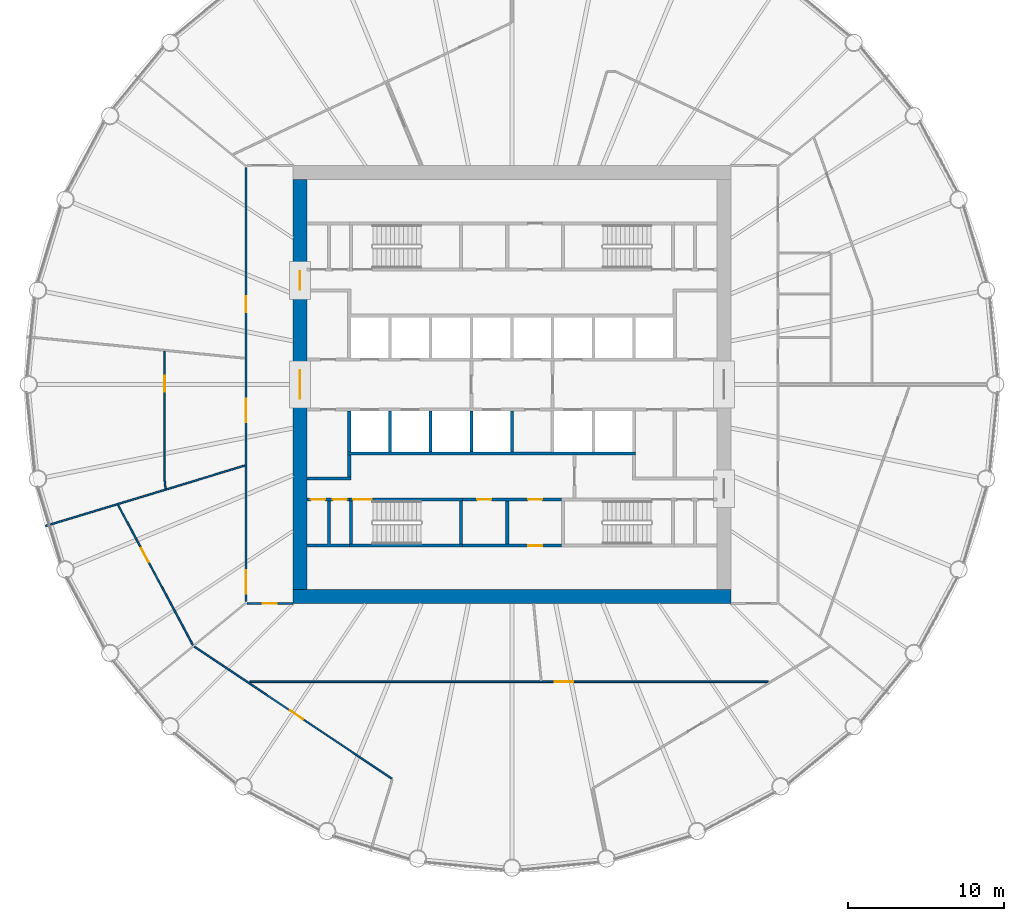
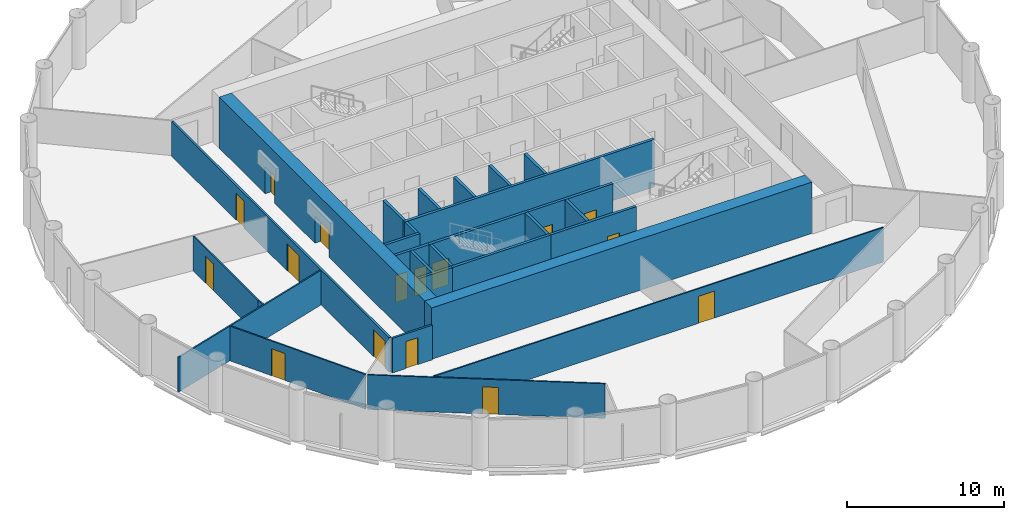
# One storey, part 4 of 8: 27 walls, 16 doors, 16 openings.
"""IFC4 building model written with IfcOpenShell, lengths in metres."""

from ifc_helpers import new_model, si_unit, direction, frame, frame_2d, origin, place, context, subcontext, project, spatial, polyline, rectangle, outline, extrude, material, layer, layer_set, type_object, element, fill, save


model = new_model("IFC4")

# Units and contexts
model_context = context("Model", 3, precision=1e-05, world=origin(), true_north=direction((0.0, 1.0)))
body_context = subcontext(model_context, "Body", "Model", "MODEL_VIEW")
ifc_project = project(units=[si_unit("LENGTHUNIT", "METRE"), si_unit("AREAUNIT", "SQUARE_METRE"), si_unit("VOLUMEUNIT", "CUBIC_METRE"), si_unit("PLANEANGLEUNIT", "RADIAN"), si_unit("MASSUNIT", "GRAM", prefix="KILO")], contexts=[model_context])

# Site, building, storey
site_placement = place(None, origin())
site = spatial("IfcSite", under=ifc_project, at=site_placement, CompositionType="ELEMENT")
building_placement = place(site_placement, origin())
building = spatial("IfcBuilding", under=site, at=building_placement, Name="Corvane Civic Tower", CompositionType="ELEMENT")
storey_placement = place(building_placement, frame((0.0, 0.0, 152.0)))
storey = spatial("IfcBuildingStorey", under=building, at=storey_placement, Name="L35", CompositionType="ELEMENT", Elevation=152.0)

# Wall
ifc_material_1 = material(Name="Concrete C60/75", Category="concrete")
ifc_layer_1 = layer(ifc_material_1, 0.89990234375)
ifc_layer_set_1 = layer_set([ifc_layer_1], Name="Concrete C60/75")
wall_type_1 = type_object("IfcWallType", Name="CORE WALL 900 C60/75", PredefinedType="SHEAR", material=ifc_layer_set_1)
wall_1_placement = place(storey_placement, frame((-14.0, -13.550048828125, 0.0), z_axis=(0.0, 0.0, 1.0), x_axis=(1.0, 0.0, 0.0)))
element("IfcWall", 1, at=wall_1_placement, inside=storey, type_object=wall_type_1, Name="W-L35-core-S", PredefinedType="SHEAR", context=body_context, shape_type="SweptSolid", body=[
    extrude(rectangle(XDim=28.0, YDim=0.89990234375, at=frame_2d((14.0, 0.0))), origin(), (0.0, 0.0, 1.0), 4.0),
])

# Wall, openings, doors
wall_2_placement = place(storey_placement, frame((-13.550048828125, -13.10009765625, 0.0), z_axis=(0.0, 0.0, 1.0), x_axis=(0.0, 1.0, 0.0)))
wall_2 = element("IfcWall", 2, at=wall_2_placement, inside=storey, type_object=wall_type_1, Name="W-L35-core-W", PredefinedType="SHEAR", context=body_context, shape_type="SweptSolid", body=[
    extrude(rectangle(XDim=26.2001953125, YDim=0.89990234375, at=frame_2d((13.10009765625, 0.0))), origin(), (0.0, 0.0, 1.0), 4.0),
])
opening_1_placement = place(wall_2_placement, frame((12.199951171875, 0.0, 0.0)))
opening_1 = element("IfcOpeningElement", 3, at=opening_1_placement, cuts=wall_2, Name="Opening L35.C28", PredefinedType="OPENING", context=body_context, shape_type="SweptSolid", body=[
    extrude(rectangle(XDim=1.800048828125, YDim=2.10009765625, at=frame_2d((0.89990234375, 1.050048828125))), frame((0.0, 0.4599609375, 0.0), z_axis=(0.0, -1.0, 0.0), x_axis=(1.0, 0.0, 0.0)), (0.0, 0.0, 1.0), 0.919921875),
])
opening_2_placement = place(wall_2_placement, frame((19.14990234375, 0.0, 0.0)))
opening_2 = element("IfcOpeningElement", 4, at=opening_2_placement, cuts=wall_2, Name="Opening L35.C30", PredefinedType="OPENING", context=body_context, shape_type="SweptSolid", body=[
    extrude(rectangle(XDim=1.199951171875, YDim=2.10009765625, at=frame_2d((0.60009765625, 1.050048828125))), frame((0.0, 0.4599609375, 0.0), z_axis=(0.0, -1.0, 0.0), x_axis=(1.0, 0.0, 0.0)), (0.0, 0.0, 1.0), 0.919921875),
])
ifc_material_2 = material(Name="Steel fire door leaf", Category="steel")
door_type_1 = type_object("IfcDoorType", Name="CR-DOOR-CORE-1800", OperationType="DOUBLE_DOOR_SINGLE_SWING", PredefinedType="DOOR", material=ifc_material_2)
door_1_placement = place(opening_1_placement, origin())
door_1 = element("IfcDoor", 5, at=door_1_placement, inside=storey, type_object=door_type_1, Name="L35 door", OperationType="DOUBLE_DOOR_SINGLE_SWING", OverallHeight=2.10009765625, OverallWidth=1.800048828125, PredefinedType="DOOR", context=body_context, shape_type="SweptSolid", body=[
    extrude(rectangle(XDim=1.800048828125, YDim=2.10009765625, at=frame_2d((0.89990234375, 1.050048828125))), frame((0.0, 0.02490234375, 0.0), z_axis=(0.0, -1.0, 0.0), x_axis=(1.0, 0.0, 0.0)), (0.0, 0.0, 1.0), 0.050048828125),
])
fill(opening_1, door_1)
door_2_placement = place(opening_2_placement, origin())
door_2 = element("IfcDoor", 6, at=door_2_placement, inside=storey, type_object=door_type_1, Name="L35 door", OperationType="DOUBLE_DOOR_SINGLE_SWING", OverallHeight=2.10009765625, OverallWidth=1.199951171875, PredefinedType="DOOR", context=body_context, shape_type="SweptSolid", body=[
    extrude(rectangle(XDim=1.199951171875, YDim=2.10009765625, at=frame_2d((0.60009765625, 1.050048828125))), frame((0.0, 0.02490234375, 0.0), z_axis=(0.0, -1.0, 0.0), x_axis=(1.0, 0.0, 0.0)), (0.0, 0.0, 1.0), 0.050048828125),
])
fill(opening_2, door_2)

# Wall, opening, door
ifc_material_3 = material(Name="Concrete C30/37", Category="concrete")
ifc_layer_2 = layer(ifc_material_3, 0.199951171875)
ifc_layer_set_2 = layer_set([ifc_layer_2], Name="Concrete C30/37")
wall_type_2 = type_object("IfcWallType", Name="CR-WALL-200", PredefinedType="PARTITIONING", material=ifc_layer_set_2)
wall_3_placement = place(storey_placement, frame((-3.14990234375, -10.300048828125, 0.0), z_axis=(0.0, 0.0, 1.0), x_axis=(1.0, 0.0, 0.0)))
wall_3 = element("IfcWall", 7, at=wall_3_placement, inside=storey, type_object=wall_type_2, Name="L35 partition wall", PredefinedType="PARTITIONING", context=body_context, shape_type="SweptSolid", body=[
    extrude(rectangle(XDim=6.2998046875, YDim=0.199951171875, at=frame_2d((3.14990234375, 0.0))), origin(), (0.0, 0.0, 1.0), 3.699951171875),
])
opening_3_placement = place(wall_3_placement, frame((4.175048828125, 0.0, 0.0)))
opening_3 = element("IfcOpeningElement", 8, at=opening_3_placement, cuts=wall_3, Name="Opening L35.C12", PredefinedType="OPENING", context=body_context, shape_type="SweptSolid", body=[
    extrude(rectangle(XDim=0.89990234375, YDim=2.10009765625, at=frame_2d((0.449951171875, 1.050048828125))), frame((0.0, 0.10986328125, 0.0), z_axis=(0.0, -1.0, 0.0), x_axis=(1.0, 0.0, 0.0)), (0.0, 0.0, 1.0), 0.219970703125),
])
ifc_material_4 = material(Name="Steel fire door leaf", Category="steel")
door_type_2 = type_object("IfcDoorType", Name="CR-DOOR-900", OperationType="SINGLE_SWING_LEFT", PredefinedType="DOOR", material=ifc_material_4)
door_3_placement = place(opening_3_placement, origin())
door_3 = element("IfcDoor", 9, at=door_3_placement, inside=storey, type_object=door_type_2, Name="L35 door", OperationType="SINGLE_SWING_LEFT", OverallHeight=2.10009765625, OverallWidth=0.89990234375, PredefinedType="DOOR", context=body_context, shape_type="SweptSolid", body=[
    extrude(rectangle(XDim=0.89990234375, YDim=2.10009765625, at=frame_2d((0.449951171875, 1.050048828125))), frame((0.0, 0.02490234375, 0.0), z_axis=(0.0, -1.0, 0.0), x_axis=(1.0, 0.0, 0.0)), (0.0, 0.0, 1.0), 0.050048828125),
])
fill(opening_3, door_3)

# Wall, openings, doors
wall_4_placement = place(storey_placement, frame((-13.10009765625, -7.35009765625, 0.0), z_axis=(0.0, 0.0, 1.0), x_axis=(1.0, 0.0, 0.0)))
wall_4 = element("IfcWall", 10, at=wall_4_placement, inside=storey, type_object=wall_type_2, Name="L35 core partition wall", PredefinedType="PARTITIONING", context=body_context, shape_type="SweptSolid", body=[
    extrude(rectangle(XDim=2.7001953125, YDim=0.199951171875, at=frame_2d((1.35009765625, 0.0))), origin(), (0.0, 0.0, 1.0), 3.699951171875),
])
opening_4_placement = place(wall_4_placement, frame((0.25, 0.0, 0.0)))
opening_4 = element("IfcOpeningElement", 11, at=opening_4_placement, cuts=wall_4, Name="Opening L35.C15", PredefinedType="OPENING", context=body_context, shape_type="SweptSolid", body=[
    extrude(rectangle(XDim=0.89990234375, YDim=2.10009765625, at=frame_2d((0.449951171875, 1.050048828125))), frame((0.0, 0.10986328125, 0.0), z_axis=(0.0, -1.0, 0.0), x_axis=(1.0, 0.0, 0.0)), (0.0, 0.0, 1.0), 0.219970703125),
])
opening_5_placement = place(wall_4_placement, frame((1.64990234375, 0.0, 0.0)))
opening_5 = element("IfcOpeningElement", 12, at=opening_5_placement, cuts=wall_4, Name="Opening L35.C16", PredefinedType="OPENING", context=body_context, shape_type="SweptSolid", body=[
    extrude(rectangle(XDim=0.89990234375, YDim=2.10009765625, at=frame_2d((0.449951171875, 1.050048828125))), frame((0.0, 0.10986328125, 0.0), z_axis=(0.0, -1.0, 0.0), x_axis=(1.0, 0.0, 0.0)), (0.0, 0.0, 1.0), 0.219970703125),
])
door_4_placement = place(opening_4_placement, origin())
door_4 = element("IfcDoor", 13, at=door_4_placement, inside=storey, type_object=door_type_2, Name="L35 door", OperationType="SINGLE_SWING_LEFT", OverallHeight=2.10009765625, OverallWidth=0.89990234375, PredefinedType="DOOR", context=body_context, shape_type="SweptSolid", body=[
    extrude(rectangle(XDim=0.89990234375, YDim=2.10009765625, at=frame_2d((0.449951171875, 1.050048828125))), frame((0.0, 0.02490234375, 0.0), z_axis=(0.0, -1.0, 0.0), x_axis=(1.0, 0.0, 0.0)), (0.0, 0.0, 1.0), 0.050048828125),
])
fill(opening_4, door_4)
door_5_placement = place(opening_5_placement, origin())
door_5 = element("IfcDoor", 14, at=door_5_placement, inside=storey, type_object=door_type_2, Name="L35 door", OperationType="SINGLE_SWING_LEFT", OverallHeight=2.10009765625, OverallWidth=0.89990234375, PredefinedType="DOOR", context=body_context, shape_type="SweptSolid", body=[
    extrude(rectangle(XDim=0.89990234375, YDim=2.10009765625, at=frame_2d((0.449951171875, 1.050048828125))), frame((0.0, 0.02490234375, 0.0), z_axis=(0.0, -1.0, 0.0), x_axis=(1.0, 0.0, 0.0)), (0.0, 0.0, 1.0), 0.050048828125),
])
fill(opening_5, door_5)

wall_5_placement = place(storey_placement, frame((-3.14990234375, -7.35009765625, 0.0), z_axis=(0.0, 0.0, 1.0), x_axis=(1.0, 0.0, 0.0)))
wall_5 = element("IfcWall", 15, at=wall_5_placement, inside=storey, type_object=wall_type_2, Name="L35 core partition wall", PredefinedType="PARTITIONING", context=body_context, shape_type="SweptSolid", body=[
    extrude(rectangle(XDim=6.2998046875, YDim=0.199951171875, at=frame_2d((3.14990234375, 0.0))), origin(), (0.0, 0.0, 1.0), 3.699951171875),
])
opening_6_placement = place(wall_5_placement, frame((0.925048828125, 0.0, 0.0)))
opening_6 = element("IfcOpeningElement", 16, at=opening_6_placement, cuts=wall_5, Name="Opening L35.C09", PredefinedType="OPENING", context=body_context, shape_type="SweptSolid", body=[
    extrude(rectangle(XDim=0.89990234375, YDim=2.10009765625, at=frame_2d((0.449951171875, 1.050048828125))), frame((0.0, 0.10986328125, 0.0), z_axis=(0.0, -1.0, 0.0), x_axis=(1.0, 0.0, 0.0)), (0.0, 0.0, 1.0), 0.219970703125),
])
opening_7_placement = place(wall_5_placement, frame((4.175048828125, 0.0, 0.0)))
opening_7 = element("IfcOpeningElement", 17, at=opening_7_placement, cuts=wall_5, Name="Opening L35.C10", PredefinedType="OPENING", context=body_context, shape_type="SweptSolid", body=[
    extrude(rectangle(XDim=0.89990234375, YDim=2.10009765625, at=frame_2d((0.449951171875, 1.050048828125))), frame((0.0, 0.10986328125, 0.0), z_axis=(0.0, -1.0, 0.0), x_axis=(1.0, 0.0, 0.0)), (0.0, 0.0, 1.0), 0.219970703125),
])
door_6_placement = place(opening_6_placement, origin())
door_6 = element("IfcDoor", 18, at=door_6_placement, inside=storey, type_object=door_type_2, Name="L35 door", OperationType="SINGLE_SWING_LEFT", OverallHeight=2.10009765625, OverallWidth=0.89990234375, PredefinedType="DOOR", context=body_context, shape_type="SweptSolid", body=[
    extrude(rectangle(XDim=0.89990234375, YDim=2.10009765625, at=frame_2d((0.449951171875, 1.050048828125))), frame((0.0, 0.02490234375, 0.0), z_axis=(0.0, -1.0, 0.0), x_axis=(1.0, 0.0, 0.0)), (0.0, 0.0, 1.0), 0.050048828125),
])
fill(opening_6, door_6)
door_7_placement = place(opening_7_placement, origin())
door_7 = element("IfcDoor", 19, at=door_7_placement, inside=storey, type_object=door_type_2, Name="L35 door", OperationType="SINGLE_SWING_LEFT", OverallHeight=2.10009765625, OverallWidth=0.89990234375, PredefinedType="DOOR", context=body_context, shape_type="SweptSolid", body=[
    extrude(rectangle(XDim=0.89990234375, YDim=2.10009765625, at=frame_2d((0.449951171875, 1.050048828125))), frame((0.0, 0.02490234375, 0.0), z_axis=(0.0, -1.0, 0.0), x_axis=(1.0, 0.0, 0.0)), (0.0, 0.0, 1.0), 0.050048828125),
])
fill(opening_7, door_7)

# Walls
wall_6_placement = place(storey_placement, origin())
element("IfcWall", 20, at=wall_6_placement, inside=storey, type_object=wall_type_2, Name="L35 core partition wall", PredefinedType="PARTITIONING", context=body_context, shape_type="SweptSolid", body=[
    extrude(outline(polyline([(7.89990234375, -4.300048828125), (7.89990234375, -4.5), (-10.5, -4.5), (-10.5, -4.300048828125), (7.89990234375, -4.300048828125)])), origin(), (0.0, 0.0, 1.0), 3.699951171875),
])
wall_7_placement = place(storey_placement, origin())
element("IfcWall", 21, at=wall_7_placement, inside=storey, type_object=wall_type_2, Name="L35 core partition wall", PredefinedType="PARTITIONING", context=body_context, shape_type="SweptSolid", body=[
    extrude(outline(polyline([(-10.300048828125, -6.10009765625), (-13.10009765625, -6.10009765625), (-13.10009765625, -5.89990234375), (-10.300048828125, -5.89990234375), (-10.300048828125, -6.10009765625)])), origin(), (0.0, 0.0, 1.0), 3.699951171875),
])
wall_8_placement = place(storey_placement, origin())
element("IfcWall", 22, at=wall_8_placement, inside=storey, type_object=wall_type_2, Name="L35 core partition wall", PredefinedType="PARTITIONING", context=body_context, shape_type="SweptSolid", body=[
    extrude(outline(polyline([(-2.5, -1.699951171875), (-2.5, -4.2998046875), (-2.699951171875, -4.2998046875), (-2.699951171875, -1.699951171875), (-2.5, -1.699951171875)])), origin(), (0.0, 0.0, 1.0), 3.699951171875),
])
wall_9_placement = place(storey_placement, origin())
element("IfcWall", 23, at=wall_9_placement, inside=storey, type_object=wall_type_2, Name="L35 core partition wall", PredefinedType="PARTITIONING", context=body_context, shape_type="SweptSolid", body=[
    extrude(outline(polyline([(0.10009765625, -1.699951171875), (0.10009765625, -4.2998046875), (-0.10009765625, -4.2998046875), (-0.10009765625, -1.699951171875), (0.10009765625, -1.699951171875)])), origin(), (0.0, 0.0, 1.0), 3.699951171875),
])
wall_10_placement = place(storey_placement, origin())
element("IfcWall", 24, at=wall_10_placement, inside=storey, type_object=wall_type_2, Name="L35 core partition wall", PredefinedType="PARTITIONING", context=body_context, shape_type="SweptSolid", body=[
    extrude(outline(polyline([(-10.300048828125, -1.699951171875), (-10.300048828125, -4.2998046875), (-10.5, -4.2998046875), (-10.5, -1.699951171875), (-10.300048828125, -1.699951171875)])), origin(), (0.0, 0.0, 1.0), 3.699951171875),
])
wall_11_placement = place(storey_placement, origin())
element("IfcWall", 25, at=wall_11_placement, inside=storey, type_object=wall_type_2, Name="L35 core partition wall", PredefinedType="PARTITIONING", context=body_context, shape_type="SweptSolid", body=[
    extrude(outline(polyline([(-7.699951171875, -1.699951171875), (-7.699951171875, -4.2998046875), (-7.89990234375, -4.2998046875), (-7.89990234375, -1.699951171875), (-7.699951171875, -1.699951171875)])), origin(), (0.0, 0.0, 1.0), 3.699951171875),
])
wall_12_placement = place(storey_placement, origin())
element("IfcWall", 26, at=wall_12_placement, inside=storey, type_object=wall_type_2, Name="L35 core partition wall", PredefinedType="PARTITIONING", context=body_context, shape_type="SweptSolid", body=[
    extrude(outline(polyline([(-5.10009765625, -1.699951171875), (-5.10009765625, -4.2998046875), (-5.300048828125, -4.2998046875), (-5.300048828125, -1.699951171875), (-5.10009765625, -1.699951171875)])), origin(), (0.0, 0.0, 1.0), 3.699951171875),
])
wall_13_placement = place(storey_placement, origin())
element("IfcWall", 27, at=wall_13_placement, inside=storey, type_object=wall_type_2, Name="L35 core partition wall", PredefinedType="PARTITIONING", context=body_context, shape_type="SweptSolid", body=[
    extrude(outline(polyline([(-10.300048828125, -5.89990234375), (-10.5, -5.89990234375), (-10.5, -4.5), (-10.300048828125, -4.5), (-10.300048828125, -5.89990234375)])), origin(), (0.0, 0.0, 1.0), 3.699951171875),
])
wall_14_placement = place(storey_placement, origin())
element("IfcWall", 28, at=wall_14_placement, inside=storey, type_object=wall_type_2, Name="L35 core partition wall", PredefinedType="PARTITIONING", context=body_context, shape_type="SweptSolid", body=[
    extrude(outline(polyline([(-11.800048828125, -7.449951171875), (-11.60009765625, -7.449951171875), (-11.60009765625, -10.199951171875), (-10.39990234375, -10.199951171875), (-10.39990234375, -10.39990234375), (-13.10009765625, -10.39990234375), (-13.10009765625, -10.199951171875), (-11.800048828125, -10.199951171875), (-11.800048828125, -7.449951171875)])), origin(), (0.0, 0.0, 1.0), 3.699951171875),
])
wall_15_placement = place(storey_placement, origin())
element("IfcWall", 29, at=wall_15_placement, inside=storey, type_object=wall_type_2, Name="L35 core partition wall", PredefinedType="PARTITIONING", context=body_context, shape_type="SweptSolid", body=[
    extrude(outline(polyline([(-0.199951171875, -10.199951171875), (-0.39990234375, -10.199951171875), (-0.39990234375, -7.449951171875), (-0.199951171875, -7.449951171875), (-0.199951171875, -10.199951171875)])), origin(), (0.0, 0.0, 1.0), 3.699951171875),
])

# Wall, opening, door
ifc_material_5 = material(Name="Plasterboard")
ifc_layer_3 = layer(ifc_material_5, 0.10009765625)
ifc_layer_set_3 = layer_set([ifc_layer_3], Name="Plasterboard")
wall_type_3 = type_object("IfcWallType", Name="Partition 100 plasterboard on studs", PredefinedType="PARTITIONING", material=ifc_layer_set_3)
wall_16_placement = place(storey_placement, frame((-20.308349609375, -16.750244140625, 0.0), z_axis=(0.0, 0.0, 1.0), x_axis=(0.831468762021, -0.555571505553, 0.0)))
wall_16 = element("IfcWall", 30, at=wall_16_placement, inside=storey, type_object=wall_type_3, Name="Partition L35.004", PredefinedType="PARTITIONING", context=body_context, shape_type="SweptSolid", body=[
    extrude(rectangle(XDim=15.190185546875, YDim=0.10009765625, at=frame_2d((7.59521484375, 0.0))), origin(), (0.0, 0.0, 1.0), 2.699951171875),
])
opening_8_placement = place(wall_16_placement, frame((7.35693359375, 0.0, 0.0)))
opening_8 = element("IfcOpeningElement", 31, at=opening_8_placement, cuts=wall_16, Name="Opening L35.006", PredefinedType="OPENING", context=body_context, shape_type="SweptSolid", body=[
    extrude(rectangle(XDim=1.0, YDim=2.10009765625, at=frame_2d((0.5, 1.050048828125))), frame((0.0, 0.06005859375, 0.0), z_axis=(0.0, -1.0, 0.0), x_axis=(1.0, 0.0, 0.0)), (0.0, 0.0, 1.0), 0.1201171875),
])
ifc_material_6 = material(Name="Timber", Category="wood")
door_type_3 = type_object("IfcDoorType", Name="Single door 1000", OperationType="NOTDEFINED", PredefinedType="DOOR", material=ifc_material_6)
door_8_placement = place(opening_8_placement, frame((1.0, 0.0, 0.0), z_axis=(0.0, 0.0, 1.0), x_axis=(-1.0, 0.0, 0.0)))
door_8 = element("IfcDoor", 32, at=door_8_placement, inside=storey, type_object=door_type_3, Name="Door L35.006", OperationType="SINGLE_SWING_LEFT", OverallHeight=2.10009765625, OverallWidth=1.0, PredefinedType="DOOR", context=body_context, shape_type="SweptSolid", body=[
    extrude(rectangle(XDim=1.0, YDim=2.10009765625, at=frame_2d((0.5, 1.050048828125))), frame((0.0, 0.02490234375, 0.0), z_axis=(0.0, -1.0, 0.0), x_axis=(1.0, 0.0, 0.0)), (0.0, 0.0, 1.0), 0.050048828125),
])
fill(opening_8, door_8)

wall_17_placement = place(storey_placement, frame((-16.776611328125, -19.0, 0.0), z_axis=(0.0, 0.0, 1.0), x_axis=(1.0, 0.0, 0.0)))
wall_17 = element("IfcWall", 33, at=wall_17_placement, inside=storey, type_object=wall_type_3, Name="Partition L35.007", PredefinedType="PARTITIONING", context=body_context, shape_type="SweptSolid", body=[
    extrude(rectangle(XDim=33.144287109375, YDim=0.10009765625, at=frame_2d((16.572265625, 0.0))), origin(), (0.0, 0.0, 1.0), 2.699951171875),
])
opening_9_placement = place(wall_17_placement, frame((19.50146484375, 0.0, 0.0)))
opening_9 = element("IfcOpeningElement", 34, at=opening_9_placement, cuts=wall_17, Name="Opening L35.007", PredefinedType="OPENING", context=body_context, shape_type="SweptSolid", body=[
    extrude(rectangle(XDim=1.199951171875, YDim=2.10009765625, at=frame_2d((0.60009765625, 1.050048828125))), frame((0.0, 0.06005859375, 0.0), z_axis=(0.0, -1.0, 0.0), x_axis=(1.0, 0.0, 0.0)), (0.0, 0.0, 1.0), 0.1201171875),
])
ifc_material_7 = material(Name="Timber", Category="wood")
door_type_4 = type_object("IfcDoorType", Name="Double door 1200", OperationType="NOTDEFINED", PredefinedType="DOOR", material=ifc_material_7)
door_9_placement = place(opening_9_placement, frame((1.199951171875, 0.0, 0.0), z_axis=(0.0, 0.0, 1.0), x_axis=(-1.0, 0.0, 0.0)))
door_9 = element("IfcDoor", 35, at=door_9_placement, inside=storey, type_object=door_type_4, Name="Door L35.007", OperationType="DOUBLE_DOOR_SINGLE_SWING", OverallHeight=2.10009765625, OverallWidth=1.199951171875, PredefinedType="DOOR", context=body_context, shape_type="SweptSolid", body=[
    extrude(rectangle(XDim=1.199951171875, YDim=2.10009765625, at=frame_2d((0.60009765625, 1.050048828125))), frame((0.0, 0.02490234375, 0.0), z_axis=(0.0, -1.0, 0.0), x_axis=(1.0, 0.0, 0.0)), (0.0, 0.0, 1.0), 0.050048828125),
])
fill(opening_9, door_9)

wall_18_placement = place(storey_placement, frame((-25.181396484375, -7.701171875, 0.0), z_axis=(0.0, 0.0, 1.0), x_axis=(0.471401446327, -0.881918747052, 0.0)))
wall_18 = element("IfcWall", 36, at=wall_18_placement, inside=storey, type_object=wall_type_3, Name="Partition L35.009", PredefinedType="PARTITIONING", context=body_context, shape_type="SweptSolid", body=[
    extrude(rectangle(XDim=10.1572265625, YDim=0.10009765625, at=frame_2d((5.07861328125, 0.0))), origin(), (0.0, 0.0, 1.0), 2.699951171875),
])
opening_10_placement = place(wall_18_placement, frame((3.129150390625, 0.0, 0.0)))
opening_10 = element("IfcOpeningElement", 37, at=opening_10_placement, cuts=wall_18, Name="Opening L35.017", PredefinedType="OPENING", context=body_context, shape_type="SweptSolid", body=[
    extrude(rectangle(XDim=1.0, YDim=2.10009765625, at=frame_2d((0.5, 1.050048828125))), frame((0.0, 0.06005859375, 0.0), z_axis=(0.0, -1.0, 0.0), x_axis=(1.0, 0.0, 0.0)), (0.0, 0.0, 1.0), 0.1201171875),
])
door_10_placement = place(opening_10_placement, frame((1.0, 0.0, 0.0), z_axis=(0.0, 0.0, 1.0), x_axis=(-1.0, 0.0, 0.0)))
door_10 = element("IfcDoor", 38, at=door_10_placement, inside=storey, type_object=door_type_3, Name="Door L35.017", OperationType="SINGLE_SWING_RIGHT", OverallHeight=2.10009765625, OverallWidth=1.0, PredefinedType="DOOR", context=body_context, shape_type="SweptSolid", body=[
    extrude(rectangle(XDim=1.0, YDim=2.10009765625, at=frame_2d((0.5, 1.050048828125))), frame((0.0, 0.02490234375, 0.0), z_axis=(0.0, -1.0, 0.0), x_axis=(1.0, 0.0, 0.0)), (0.0, 0.0, 1.0), 0.050048828125),
])
fill(opening_10, door_10)

# Walls
wall_19_placement = place(storey_placement, frame((-29.808837890625, -9.04248046875, 0.0), z_axis=(0.0, 0.0, 1.0), x_axis=(0.956939088308, 0.290288789428, 0.0)))
element("IfcWall", 39, at=wall_19_placement, inside=storey, type_object=wall_type_3, Name="Partition L35.015", PredefinedType="PARTITIONING", context=body_context, shape_type="SweptSolid", body=[
    extrude(rectangle(XDim=13.29150390625, YDim=0.10009765625, at=frame_2d((6.645751953125, 0.0))), origin(), (0.0, 0.0, 1.0), 2.699951171875),
])
wall_20_placement = place(storey_placement, frame((-22.2001953125, -6.147705078125, 0.0), z_axis=(0.0, 0.0, 1.0), x_axis=(0.097849520581, -0.995201221524, 0.0)))
element("IfcWall", 40, at=wall_20_placement, inside=storey, type_object=wall_type_3, Name="Partition L35.016", PredefinedType="PARTITIONING", context=body_context, shape_type="SweptSolid", body=[
    extrude(rectangle(XDim=0.511474609375, YDim=0.10009765625, at=frame_2d((0.255859375, 0.0))), origin(), (0.0, 0.0, 1.0), 2.699951171875),
])

# Wall, opening, door
wall_21_placement = place(storey_placement, frame((-22.199951171875, -6.147705078125, 0.0), z_axis=(0.0, 0.0, 1.0), x_axis=(0.0, 1.0, 0.0)))
wall_21 = element("IfcWall", 41, at=wall_21_placement, inside=storey, type_object=wall_type_3, Name="Partition L35.017", PredefinedType="PARTITIONING", context=body_context, shape_type="SweptSolid", body=[
    extrude(rectangle(XDim=8.279052734375, YDim=0.10009765625, at=frame_2d((4.1396484375, 0.0))), origin(), (0.0, 0.0, 1.0), 2.699951171875),
])
opening_11_placement = place(wall_21_placement, frame((5.69677734375, 0.0, 0.0)))
opening_11 = element("IfcOpeningElement", 42, at=opening_11_placement, cuts=wall_21, Name="Opening L35.019", PredefinedType="OPENING", context=body_context, shape_type="SweptSolid", body=[
    extrude(rectangle(XDim=1.0, YDim=2.10009765625, at=frame_2d((0.5, 1.050048828125))), frame((0.0, 0.06005859375, 0.0), z_axis=(0.0, -1.0, 0.0), x_axis=(1.0, 0.0, 0.0)), (0.0, 0.0, 1.0), 0.1201171875),
])
door_11_placement = place(opening_11_placement, origin())
door_11 = element("IfcDoor", 43, at=door_11_placement, inside=storey, type_object=door_type_3, Name="Door L35.019", OperationType="SINGLE_SWING_LEFT", OverallHeight=2.10009765625, OverallWidth=1.0, PredefinedType="DOOR", context=body_context, shape_type="SweptSolid", body=[
    extrude(rectangle(XDim=1.0, YDim=2.10009765625, at=frame_2d((0.5, 1.050048828125))), frame((0.0, 0.02490234375, 0.0), z_axis=(0.0, -1.0, 0.0), x_axis=(1.0, 0.0, 0.0)), (0.0, 0.0, 1.0), 0.050048828125),
])
fill(opening_11, door_11)

ifc_material_8 = material(Name="Concrete C50/60", Category="concrete")
ifc_layer_4 = layer(ifc_material_8, 0.199951171875)
ifc_layer_set_4 = layer_set([ifc_layer_4], Name="Concrete C50/60")
wall_type_4 = type_object("IfcWallType", Name="ST-WALL-200", PredefinedType="SHEAR", material=ifc_layer_set_4)
wall_22_placement = place(storey_placement, frame((-10.39990234375, -7.35009765625, 0.0), z_axis=(0.0, 0.0, 1.0), x_axis=(1.0, 0.0, 0.0)))
wall_22 = element("IfcWall", 44, at=wall_22_placement, inside=storey, type_object=wall_type_4, Name="L35 stair enclosure wall", PredefinedType="SHEAR", context=body_context, shape_type="SweptSolid", body=[
    extrude(rectangle(XDim=7.25, YDim=0.199951171875, at=frame_2d((3.625, 0.0))), origin(), (0.0, 0.0, 1.0), 3.699951171875),
])
opening_12_placement = place(wall_22_placement, frame((0.25, 0.0, 0.0)))
opening_12 = element("IfcOpeningElement", 45, at=opening_12_placement, cuts=wall_22, Name="Opening L35.C24", PredefinedType="OPENING", context=body_context, shape_type="SweptSolid", body=[
    extrude(rectangle(XDim=1.199951171875, YDim=2.10009765625, at=frame_2d((0.60009765625, 1.050048828125))), frame((0.0, 0.10986328125, 0.0), z_axis=(0.0, -1.0, 0.0), x_axis=(1.0, 0.0, 0.0)), (0.0, 0.0, 1.0), 0.219970703125),
])
ifc_material_9 = material(Name="Steel fire door leaf", Category="steel")
door_type_5 = type_object("IfcDoorType", Name="ST-DOOR-1200", OperationType="SINGLE_SWING_RIGHT", PredefinedType="DOOR", material=ifc_material_9)
door_12_placement = place(opening_12_placement, origin())
door_12 = element("IfcDoor", 46, at=door_12_placement, inside=storey, type_object=door_type_5, Name="L35 stair door", OperationType="SINGLE_SWING_RIGHT", OverallHeight=2.10009765625, OverallWidth=1.199951171875, PredefinedType="DOOR", context=body_context, shape_type="SweptSolid", body=[
    extrude(rectangle(XDim=1.199951171875, YDim=2.10009765625, at=frame_2d((0.60009765625, 1.050048828125))), frame((0.0, 0.02490234375, 0.0), z_axis=(0.0, -1.0, 0.0), x_axis=(1.0, 0.0, 0.0)), (0.0, 0.0, 1.0), 0.050048828125),
])
fill(opening_12, door_12)

# Walls
wall_23_placement = place(storey_placement, origin())
element("IfcWall", 47, at=wall_23_placement, inside=storey, type_object=wall_type_4, Name="L35 stair enclosure wall", PredefinedType="SHEAR", context=body_context, shape_type="SweptSolid", body=[
    extrude(outline(polyline([(-3.14990234375, -10.199951171875), (-3.14990234375, -10.39990234375), (-10.39990234375, -10.39990234375), (-10.39990234375, -10.199951171875), (-3.14990234375, -10.199951171875)])), origin(), (0.0, 0.0, 1.0), 3.699951171875),
])
wall_24_placement = place(storey_placement, origin())
element("IfcWall", 48, at=wall_24_placement, inside=storey, type_object=wall_type_4, Name="L35 stair enclosure wall", PredefinedType="SHEAR", context=body_context, shape_type="SweptSolid", body=[
    extrude(outline(polyline([(-3.14990234375, -7.449951171875), (-3.14990234375, -10.199951171875), (-3.35009765625, -10.199951171875), (-3.35009765625, -7.449951171875), (-3.14990234375, -7.449951171875)])), origin(), (0.0, 0.0, 1.0), 3.699951171875),
])
wall_25_placement = place(storey_placement, origin())
element("IfcWall", 49, at=wall_25_placement, inside=storey, type_object=wall_type_4, Name="L35 stair enclosure wall", PredefinedType="SHEAR", context=body_context, shape_type="SweptSolid", body=[
    extrude(outline(polyline([(-10.199951171875, -7.449951171875), (-10.199951171875, -10.199951171875), (-10.39990234375, -10.199951171875), (-10.39990234375, -7.449951171875), (-10.199951171875, -7.449951171875)])), origin(), (0.0, 0.0, 1.0), 3.699951171875),
])

# Wall, opening, door
ifc_material_10 = material(Name="Plasterboard")
ifc_layer_5 = layer(ifc_material_10, 0.14990234375)
ifc_layer_set_5 = layer_set([ifc_layer_5], Name="Plasterboard")
wall_type_5 = type_object("IfcWallType", Name="Tenancy wall 150 EI 60", PredefinedType="PARTITIONING", material=ifc_layer_set_5)
wall_26_placement = place(storey_placement, frame((-16.925048828125, -14.0, 0.0), z_axis=(0.0, 0.0, 1.0), x_axis=(1.0, 0.0, 0.0)))
wall_26 = element("IfcWall", 50, at=wall_26_placement, inside=storey, type_object=wall_type_5, Name="Partition L35.011", PredefinedType="PARTITIONING", context=body_context, shape_type="SweptSolid", body=[
    extrude(rectangle(XDim=2.93505859375, YDim=0.14990234375, at=frame_2d((1.467529296875, 0.0))), origin(), (0.0, 0.0, 1.0), 2.699951171875),
])
opening_13_placement = place(wall_26_placement, frame((0.9765625, 0.0, 0.0)))
opening_13 = element("IfcOpeningElement", 51, at=opening_13_placement, cuts=wall_26, Name="Opening L35.009", PredefinedType="OPENING", context=body_context, shape_type="SweptSolid", body=[
    extrude(rectangle(XDim=0.89990234375, YDim=2.10009765625, at=frame_2d((0.449951171875, 1.050048828125))), frame((0.0, 0.0849609375, 0.0), z_axis=(0.0, -1.0, 0.0), x_axis=(1.0, 0.0, 0.0)), (0.0, 0.0, 1.0), 0.169921875),
])
ifc_material_11 = material(Name="Steel and timber", Category="steel")
door_type_6 = type_object("IfcDoorType", Name="Fire door FD30S 900", OperationType="NOTDEFINED", PredefinedType="DOOR", material=ifc_material_11)
door_13_placement = place(opening_13_placement, frame((0.89990234375, 0.0, 0.0), z_axis=(0.0, 0.0, 1.0), x_axis=(-1.0, 0.0, 0.0)))
door_13 = element("IfcDoor", 52, at=door_13_placement, inside=storey, type_object=door_type_6, Name="Door L35.009", OperationType="SINGLE_SWING_LEFT", OverallHeight=2.10009765625, OverallWidth=0.89990234375, PredefinedType="DOOR", context=body_context, shape_type="SweptSolid", body=[
    extrude(rectangle(XDim=0.89990234375, YDim=2.10009765625, at=frame_2d((0.449951171875, 1.050048828125))), frame((0.0, 0.02490234375, 0.0), z_axis=(0.0, -1.0, 0.0), x_axis=(1.0, 0.0, 0.0)), (0.0, 0.0, 1.0), 0.050048828125),
])
fill(opening_13, door_13)

# Wall, openings, doors
wall_27_placement = place(storey_placement, frame((-17.0, -13.87646484375, 0.0), z_axis=(0.0, 0.0, 1.0), x_axis=(0.0, 1.0, 0.0)))
wall_27 = element("IfcWall", 53, at=wall_27_placement, inside=storey, type_object=wall_type_5, Name="Partition L35.013", PredefinedType="PARTITIONING", context=body_context, shape_type="SweptSolid", body=[
    extrude(rectangle(XDim=27.7529296875, YDim=0.14990234375, at=frame_2d((13.87646484375, 0.0))), origin(), (0.0, 0.0, 1.0), 2.699951171875),
])
opening_14_placement = place(wall_27_placement, frame((0.4970703125, 0.0, 0.0)))
opening_14 = element("IfcOpeningElement", 54, at=opening_14_placement, cuts=wall_27, Name="Opening L35.018", PredefinedType="OPENING", context=body_context, shape_type="SweptSolid", body=[
    extrude(rectangle(XDim=1.5, YDim=2.10009765625, at=frame_2d((0.75, 1.050048828125))), frame((0.0, 0.0849609375, 0.0), z_axis=(0.0, -1.0, 0.0), x_axis=(1.0, 0.0, 0.0)), (0.0, 0.0, 1.0), 0.169921875),
])
opening_15_placement = place(wall_27_placement, frame((11.47998046875, 0.0, 0.0)))
opening_15 = element("IfcOpeningElement", 55, at=opening_15_placement, cuts=wall_27, Name="Opening L35.020", PredefinedType="OPENING", context=body_context, shape_type="SweptSolid", body=[
    extrude(rectangle(XDim=1.5, YDim=2.10009765625, at=frame_2d((0.75, 1.050048828125))), frame((0.0, 0.0849609375, 0.0), z_axis=(0.0, -1.0, 0.0), x_axis=(1.0, 0.0, 0.0)), (0.0, 0.0, 1.0), 0.169921875),
])
opening_16_placement = place(wall_27_placement, frame((18.505126953125, 0.0, 0.0)))
opening_16 = element("IfcOpeningElement", 56, at=opening_16_placement, cuts=wall_27, Name="Opening L35.021", PredefinedType="OPENING", context=body_context, shape_type="SweptSolid", body=[
    extrude(rectangle(XDim=1.0, YDim=2.10009765625, at=frame_2d((0.5, 1.050048828125))), frame((0.0, 0.0849609375, 0.0), z_axis=(0.0, -1.0, 0.0), x_axis=(1.0, 0.0, 0.0)), (0.0, 0.0, 1.0), 0.169921875),
])
ifc_material_12 = material(Name="Steel and timber", Category="steel")
door_type_7 = type_object("IfcDoorType", Name="Fire door FD30S 1000", OperationType="NOTDEFINED", PredefinedType="DOOR", material=ifc_material_12)
door_14_placement = place(opening_16_placement, origin())
door_14 = element("IfcDoor", 57, at=door_14_placement, inside=storey, type_object=door_type_7, Name="Door L35.021", OperationType="SINGLE_SWING_LEFT", OverallHeight=2.10009765625, OverallWidth=1.0, PredefinedType="DOOR", context=body_context, shape_type="SweptSolid", body=[
    extrude(rectangle(XDim=1.0, YDim=2.10009765625, at=frame_2d((0.5, 1.050048828125))), frame((0.0, 0.02490234375, 0.0), z_axis=(0.0, -1.0, 0.0), x_axis=(1.0, 0.0, 0.0)), (0.0, 0.0, 1.0), 0.050048828125),
])
fill(opening_16, door_14)
ifc_material_13 = material(Name="Steel and timber", Category="steel")
door_type_8 = type_object("IfcDoorType", Name="Fire door FD60 double 1500", OperationType="NOTDEFINED", PredefinedType="DOOR", material=ifc_material_13)
door_15_placement = place(opening_14_placement, origin())
door_15 = element("IfcDoor", 58, at=door_15_placement, inside=storey, type_object=door_type_8, Name="Door L35.018", OperationType="DOUBLE_DOOR_SINGLE_SWING", OverallHeight=2.10009765625, OverallWidth=1.5, PredefinedType="DOOR", context=body_context, shape_type="SweptSolid", body=[
    extrude(rectangle(XDim=1.5, YDim=2.10009765625, at=frame_2d((0.75, 1.050048828125))), frame((0.0, 0.02490234375, 0.0), z_axis=(0.0, -1.0, 0.0), x_axis=(1.0, 0.0, 0.0)), (0.0, 0.0, 1.0), 0.050048828125),
])
fill(opening_14, door_15)
door_16_placement = place(opening_15_placement, origin())
door_16 = element("IfcDoor", 59, at=door_16_placement, inside=storey, type_object=door_type_8, Name="Door L35.020", OperationType="DOUBLE_DOOR_SINGLE_SWING", OverallHeight=2.10009765625, OverallWidth=1.5, PredefinedType="DOOR", context=body_context, shape_type="SweptSolid", body=[
    extrude(rectangle(XDim=1.5, YDim=2.10009765625, at=frame_2d((0.75, 1.050048828125))), frame((0.0, 0.02490234375, 0.0), z_axis=(0.0, -1.0, 0.0), x_axis=(1.0, 0.0, 0.0)), (0.0, 0.0, 1.0), 0.050048828125),
])
fill(opening_15, door_16)

save(model, "model.ifc")
